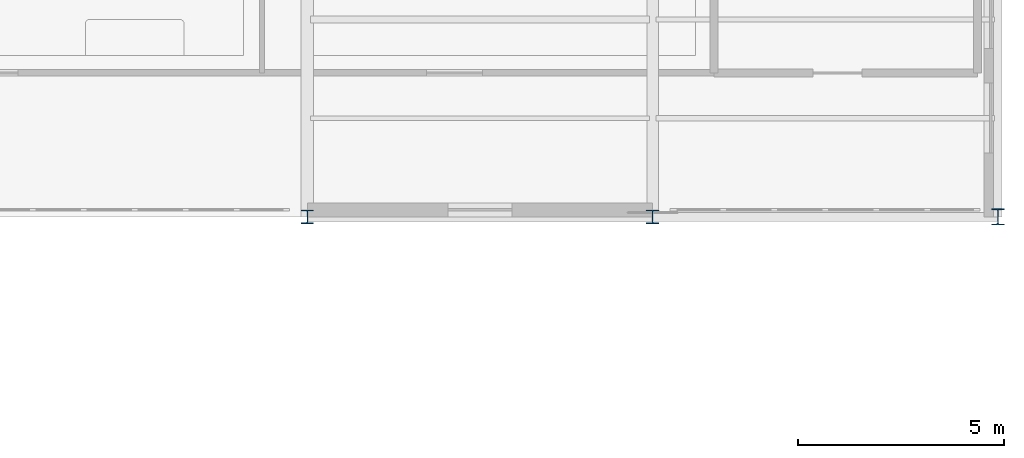
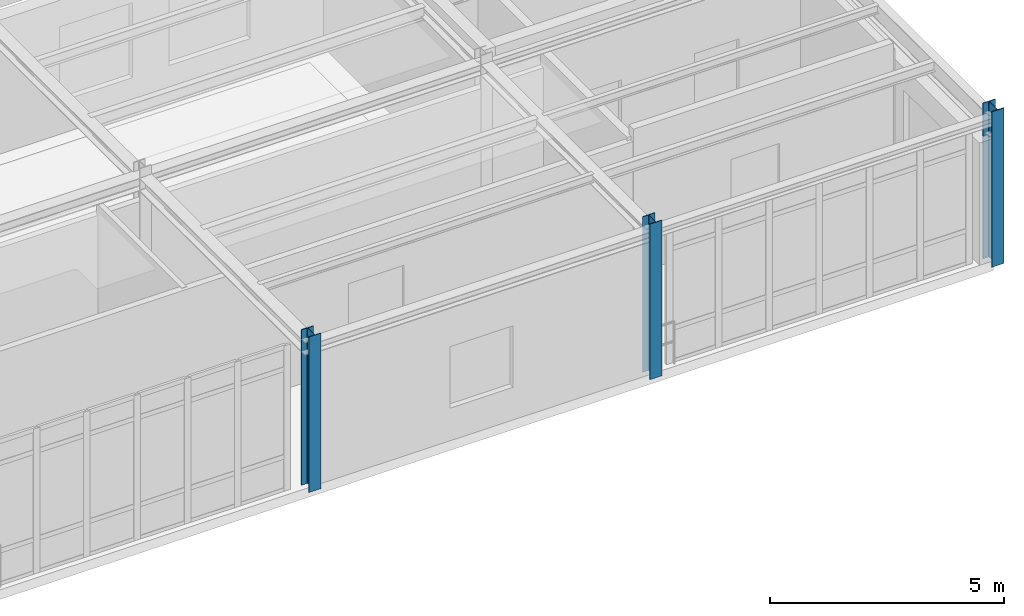
# One storey, part 2 of 20: 3 columns.
"""IFC4 building model written with IfcOpenShell, lengths in metres."""

from ifc_helpers import new_model, si_unit, derived_unit, direction, frame, origin, origin_2d, place, context, subcontext, project, spatial, i_section, extrude, material, material_profile, profile_set, type_object, element, save


model = new_model("IFC4")

# Units and contexts
model_context = context("Model", 3, precision=1e-05, world=origin(), true_north=direction((0.0, 1.0)))
body_context = subcontext(model_context, "Body", "Model", "MODEL_VIEW")
ifc_project = project(units=[si_unit("LENGTHUNIT", "METRE"), si_unit("AREAUNIT", "SQUARE_METRE"), si_unit("VOLUMEUNIT", "CUBIC_METRE"), si_unit("PLANEANGLEUNIT", "RADIAN"), si_unit("MASSUNIT", "GRAM", prefix="KILO"), derived_unit("THERMALTRANSMITTANCEUNIT", [(si_unit("POWERUNIT", "WATT"), 1), (si_unit("AREAUNIT", "SQUARE_METRE"), -1), (si_unit("THERMODYNAMICTEMPERATUREUNIT", "KELVIN"), -1)])], contexts=[model_context])

# Site, building, storey
site_placement = place(None, origin())
site = spatial("IfcSite", under=ifc_project, at=site_placement, CompositionType="ELEMENT")
building_placement = place(site_placement, origin())
building = spatial("IfcBuilding", under=site, at=building_placement, Name="Yasenodar Specialist Clinic", CompositionType="ELEMENT")
storey_placement = place(building_placement, frame((0.0, 0.0, 25.35009765625)))
storey = spatial("IfcBuildingStorey", under=building, at=storey_placement, Name="L06", CompositionType="ELEMENT", Elevation=25.35009765625)

# Columns
ifc_material = material(Name="Steel S355", Category="steel")
ifc_material_profile_1 = material_profile(ifc_material, i_section(OverallWidth=0.300048828125, OverallDepth=0.330078125, WebThickness=0.009521484375, FlangeThickness=0.0166015625, FilletRadius=0.027099609375, at=origin_2d()), Name="HEA 340")
ifc_profile_set_1 = profile_set([ifc_material_profile_1], Name="Steel S355")
column_type_1 = type_object("IfcColumnType", Name="COL-ST-HEA340", PredefinedType="COLUMN", material=ifc_profile_set_1)
for number, where, z_axis, x_axis, name in (
    (1, (105.0, 97.199951171875, 0.0), (0.0, 0.0, 1.0), (1.0, 0.0, 0.0), "L06 Column V5-124"),
    (2, (113.39990234375, 97.199951171875, 0.0), (0.0, 0.0, 1.0), (1.0, 0.0, 0.0), "L06 Column V5-134"),
):
    element("IfcColumn", number, at=place(storey_placement, frame(where, z_axis=z_axis, x_axis=x_axis)), inside=storey, type_object=column_type_1, Name=name, PredefinedType="COLUMN", context=body_context, shape_type="SweptSolid", body=[
        extrude(i_section(OverallWidth=0.300048828125, OverallDepth=0.330078125, WebThickness=0.009521484375, FlangeThickness=0.0166015625, FilletRadius=0.027099609375, at=origin_2d()), origin(), (0.0, 0.0, 1.0), 4.0498046875),
    ])
ifc_material_profile_2 = material_profile(ifc_material, i_section(OverallWidth=0.300048828125, OverallDepth=0.389892578125, WebThickness=0.010986328125, FlangeThickness=0.01904296875, FilletRadius=0.027099609375, at=origin_2d()), Name="HEA 400")
ifc_profile_set_2 = profile_set([ifc_material_profile_2], Name="Steel S355")
column_type_2 = type_object("IfcColumnType", Name="COL-ST-HEA400", PredefinedType="COLUMN", material=ifc_profile_set_2)
column_placement = place(storey_placement, frame((121.800048828125, 97.199951171875, 0.0), z_axis=(0.0, 0.0, 1.0), x_axis=(1.0, 0.0, 0.0)))
element("IfcColumn", 3, at=column_placement, inside=storey, type_object=column_type_2, Name="L06 Column V5-143", PredefinedType="COLUMN", context=body_context, shape_type="SweptSolid", body=[
    extrude(i_section(OverallWidth=0.300048828125, OverallDepth=0.389892578125, WebThickness=0.010986328125, FlangeThickness=0.01904296875, FilletRadius=0.027099609375, at=origin_2d()), origin(), (0.0, 0.0, 1.0), 4.0498046875),
])

save(model, "model.ifc")
